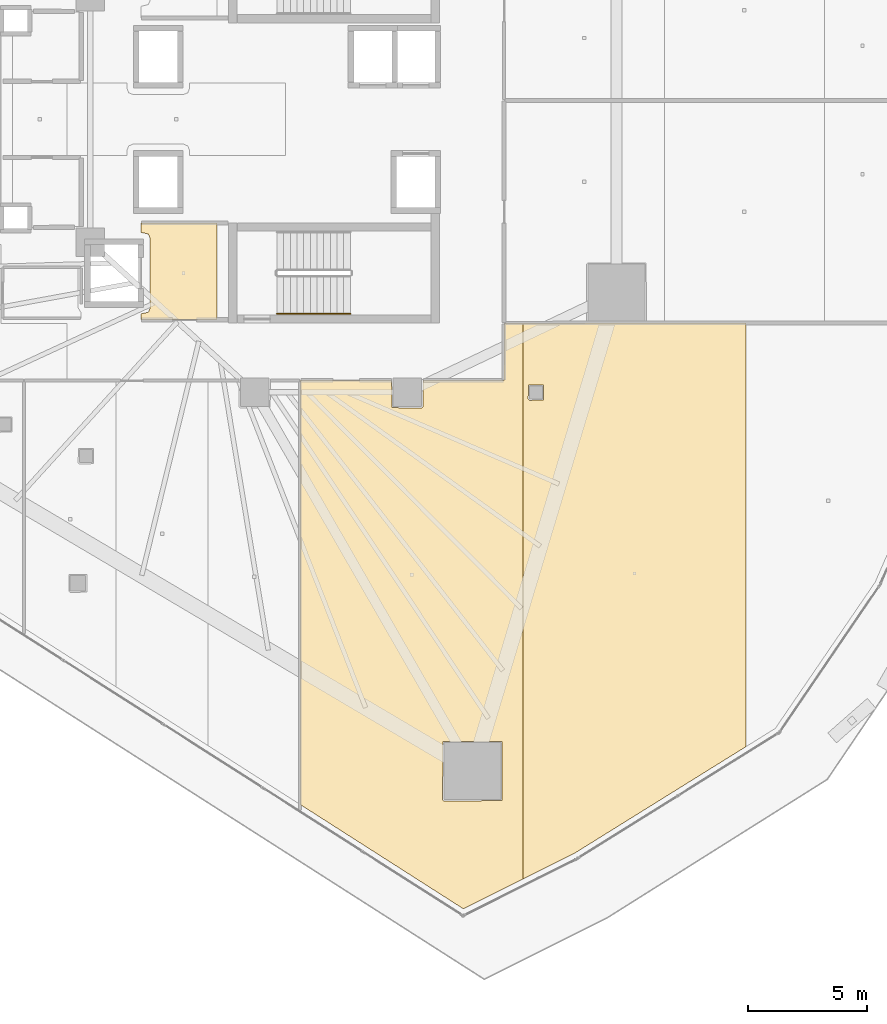
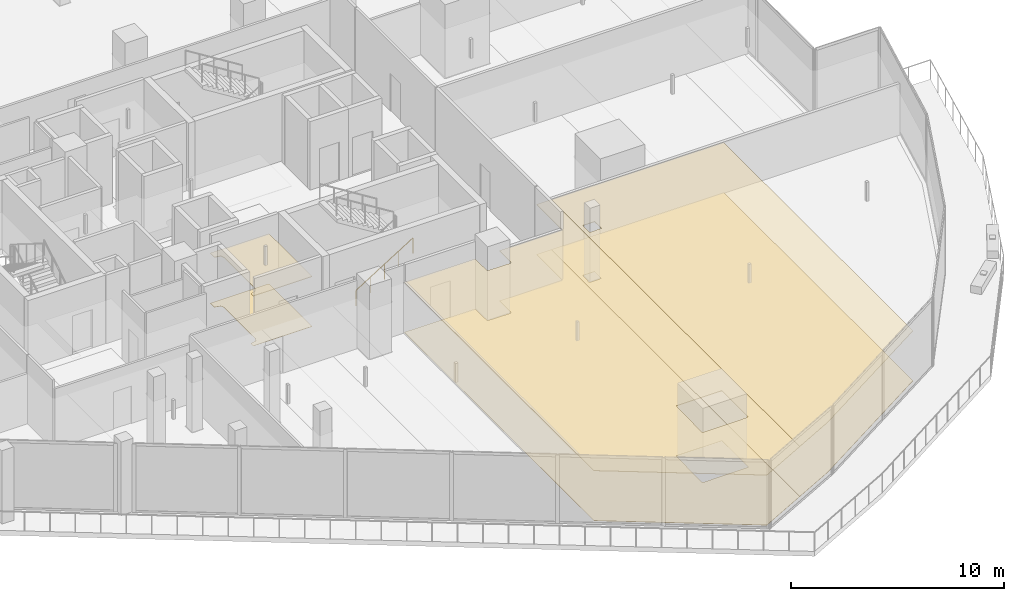
# One storey, part 38 of 44: 6 coverings, 1 railing.
"""IFC4 building model written with IfcOpenShell, lengths in metres."""

from ifc_helpers import new_model, si_unit, direction, frame, origin, origin_2d, place, context, subcontext, project, spatial, polyline, circle, outline, extrude, material, layer, layer_set, type_object, element, save


model = new_model("IFC4")

# Units and contexts
model_context = context("Model", 3, precision=1e-05, world=origin(), true_north=direction((0.0, 1.0)))
body_context = subcontext(model_context, "Body", "Model", "MODEL_VIEW")
ifc_project = project(units=[si_unit("LENGTHUNIT", "METRE"), si_unit("AREAUNIT", "SQUARE_METRE"), si_unit("VOLUMEUNIT", "CUBIC_METRE"), si_unit("PLANEANGLEUNIT", "RADIAN"), si_unit("MASSUNIT", "GRAM", prefix="KILO")], contexts=[model_context])

# Site, building, storey
site_placement = place(None, origin())
site = spatial("IfcSite", under=ifc_project, at=site_placement, CompositionType="ELEMENT")
building_placement = place(site_placement, origin())
building = spatial("IfcBuilding", under=site, at=building_placement, Name="Qorvath Tower", CompositionType="ELEMENT")
storey_placement = place(building_placement, frame((0.0, 0.0, 40.800048828125)))
storey = spatial("IfcBuildingStorey", under=building, at=storey_placement, Name="L08", CompositionType="ELEMENT", Elevation=40.800048828125)

# Coverings
ifc_material_1 = material(Name="Acoustic mineral fibre ceiling tile", Category="gypsum")
ifc_layer_1 = layer(ifc_material_1, 0.030029296875)
ifc_layer_set_1 = layer_set([ifc_layer_1], Name="COV-CEIL")
covering_type_1 = type_object("IfcCoveringType", Name="COV-CEIL", PredefinedType="CEILING", material=ifc_layer_set_1)
covering_1_placement = place(storey_placement, frame((0.0, 0.0, 2.849853515625)))
element("IfcCovering", 1, at=covering_1_placement, inside=storey, type_object=covering_type_1, Name="L08 Suspended Acoustic Ceiling 002", PredefinedType="CEILING", context=body_context, shape_type="SweptSolid", body=[
    extrude(outline(polyline([(-25.18994140625, -8.39501953125), (-25.18994140625, -4.35498046875), (-28.375, -4.35498046875), (-28.375, -4.739990234375), (-28.063232421875, -4.813232421875), (-27.989990234375, -4.989990234375), (-27.989990234375, -7.909912109375), (-28.063232421875, -8.086669921875), (-28.375, -8.159912109375), (-28.375, -8.39501953125), (-25.18994140625, -8.39501953125)])), origin(), (0.0, 0.0, 1.0), 0.030029296875),
])
covering_2_placement = place(storey_placement, frame((0.0, 0.0, 2.849853515625)))
element("IfcCovering", 2, at=covering_2_placement, inside=storey, type_object=covering_type_1, Name="L08 Suspended Acoustic Ceiling 019", PredefinedType="CEILING", context=body_context, shape_type="SweptSolid", body=[
    extrude(outline(polyline([(-17.860107421875, -10.962890625), (-21.682373046875, -10.962890625), (-21.682373046875, -28.74755859375), (-14.8486328125, -33.114990234375), (-12.345458984375, -31.863525390625), (-12.345458984375, -8.554443359375), (-13.136962890625, -8.554931640625), (-13.138427734375, -10.96142578125), (-16.5400390625, -10.962890625), (-16.5400390625, -12.050048828125), (-16.60009765625, -12.110107421875), (-17.842529296875, -12.092529296875), (-17.860107421875, -10.962890625)]), holes=[polyline([(-15.724365234375, -28.53076171875), (-15.706787109375, -26.08837890625), (-13.221923828125, -26.08837890625), (-13.221923828125, -28.5732421875), (-15.664306640625, -28.5908203125), (-15.724365234375, -28.53076171875)])]), origin(), (0.0, 0.0, 1.0), 0.030029296875),
])
covering_3_placement = place(storey_placement, frame((0.0, 0.0, 2.849853515625)))
element("IfcCovering", 3, at=covering_3_placement, inside=storey, type_object=covering_type_1, Name="L08 Suspended Acoustic Ceiling 020", PredefinedType="CEILING", context=body_context, shape_type="SweptSolid", body=[
    extrude(outline(polyline([(-12.345458984375, -8.554443359375), (-12.345458984375, -31.863525390625), (-10.21630859375, -30.798828125), (-3.008544921875, -26.316162109375), (-3.008544921875, -8.547119140625), (-12.345458984375, -8.554443359375)]), holes=[polyline([(-12.135009765625, -11.72509765625), (-12.117431640625, -11.132568359375), (-11.482666015625, -11.132568359375), (-11.482666015625, -11.767333984375), (-12.074951171875, -11.784912109375), (-12.135009765625, -11.72509765625)])]), origin(), (0.0, 0.0, 1.0), 0.030029296875),
])
ifc_material_2 = material(Name="Low-VOC modular carpet tile", Category="textile")
ifc_layer_2 = layer(ifc_material_2, 0.014892578125)
ifc_layer_set_2 = layer_set([ifc_layer_2], Name="COV-FLOOR-CPT")
covering_type_2 = type_object("IfcCoveringType", Name="COV-FLOOR-CPT", PredefinedType="FLOORING", material=ifc_layer_set_2)
covering_4_placement = place(storey_placement, origin())
element("IfcCovering", 4, at=covering_4_placement, inside=storey, type_object=covering_type_2, Name="L08 Floor Finish 019", PredefinedType="FLOORING", context=body_context, shape_type="SweptSolid", body=[
    extrude(outline(polyline([(-17.860107421875, -10.962890625), (-21.682373046875, -10.962890625), (-21.682373046875, -28.74755859375), (-14.8486328125, -33.114990234375), (-12.345458984375, -31.863525390625), (-12.345458984375, -8.554443359375), (-13.136962890625, -8.554931640625), (-13.138427734375, -10.96142578125), (-16.5400390625, -10.962890625), (-16.5400390625, -12.050048828125), (-16.60009765625, -12.110107421875), (-17.842529296875, -12.092529296875), (-17.860107421875, -10.962890625)]), holes=[polyline([(-15.724365234375, -28.53076171875), (-15.706787109375, -26.08837890625), (-13.221923828125, -26.08837890625), (-13.221923828125, -28.5732421875), (-15.664306640625, -28.5908203125), (-15.724365234375, -28.53076171875)])]), origin(), (0.0, 0.0, 1.0), 0.014892578125),
])
covering_5_placement = place(storey_placement, origin())
element("IfcCovering", 5, at=covering_5_placement, inside=storey, type_object=covering_type_2, Name="L08 Floor Finish 020", PredefinedType="FLOORING", context=body_context, shape_type="SweptSolid", body=[
    extrude(outline(polyline([(-12.345458984375, -8.554443359375), (-12.345458984375, -31.863525390625), (-10.21630859375, -30.798828125), (-3.008544921875, -26.316162109375), (-3.008544921875, -8.547119140625), (-12.345458984375, -8.554443359375)]), holes=[polyline([(-12.135009765625, -11.72509765625), (-12.117431640625, -11.132568359375), (-11.482666015625, -11.132568359375), (-11.482666015625, -11.767333984375), (-12.074951171875, -11.784912109375), (-12.135009765625, -11.72509765625)])]), origin(), (0.0, 0.0, 1.0), 0.014892578125),
])
ifc_material_3 = material(Name="Polished epoxy terrazzo flooring", Category="concrete")
ifc_layer_3 = layer(ifc_material_3, 0.02001953125)
ifc_layer_set_3 = layer_set([ifc_layer_3], Name="COV-FLOOR-TRZ")
covering_type_3 = type_object("IfcCoveringType", Name="COV-FLOOR-TRZ", PredefinedType="FLOORING", material=ifc_layer_set_3)
covering_6_placement = place(storey_placement, origin())
element("IfcCovering", 6, at=covering_6_placement, inside=storey, type_object=covering_type_3, Name="L08 Floor Finish 002", PredefinedType="FLOORING", context=body_context, shape_type="SweptSolid", body=[
    extrude(outline(polyline([(-25.18994140625, -8.39501953125), (-25.18994140625, -4.35498046875), (-28.375, -4.35498046875), (-28.375, -4.739990234375), (-28.063232421875, -4.813232421875), (-27.989990234375, -4.989990234375), (-27.989990234375, -7.909912109375), (-28.063232421875, -8.086669921875), (-28.375, -8.159912109375), (-28.375, -8.39501953125), (-25.18994140625, -8.39501953125)])), origin(), (0.0, 0.0, 1.0), 0.014892578125),
])

# Railing
ifc_material_4 = material(Name="Brushed stainless steel AISI 304", Category="steel")
railing_type = type_object("IfcRailingType", Name="RL-STR-HND", PredefinedType="HANDRAIL", material=ifc_material_4)
railing_placement = place(storey_placement, frame((-22.669921875, -8.14990234375, 0.175048828125)))
element("IfcRailing", 7, at=railing_placement, inside=storey, type_object=railing_type, Name="L08 TS2 stair handrail 1", PredefinedType="HANDRAIL", context=body_context, shape_type="SweptSolid", body=[
    extrude(circle(Radius=0.02392578125, at=origin_2d()), frame((0.0, 0.0, 0.8759765625), z_axis=(0.848009633417, 0.0, 0.529980812513), x_axis=(0.0, 1.0, 0.0)), (0.0, 0.0, 1.0), 3.6318359375),
    extrude(circle(Radius=0.02099609375, at=origin_2d()), origin(), (0.0, 0.0, 1.0), 0.851806640625),
    extrude(circle(Radius=0.02099609375, at=origin_2d()), frame((0.77001953125, 0.0, 0.481201171875)), (0.0, 0.0, 1.0), 0.851806640625),
    extrude(circle(Radius=0.02099609375, at=origin_2d()), frame((1.5400390625, 0.0, 0.96240234375)), (0.0, 0.0, 1.0), 0.851806640625),
    extrude(circle(Radius=0.02099609375, at=origin_2d()), frame((2.309814453125, 0.0, 1.443603515625)), (0.0, 0.0, 1.0), 0.851806640625),
    extrude(circle(Radius=0.02099609375, at=origin_2d()), frame((3.079833984375, 0.0, 1.9248046875)), (0.0, 0.0, 1.0), 0.851806640625),
])

save(model, "model.ifc")
